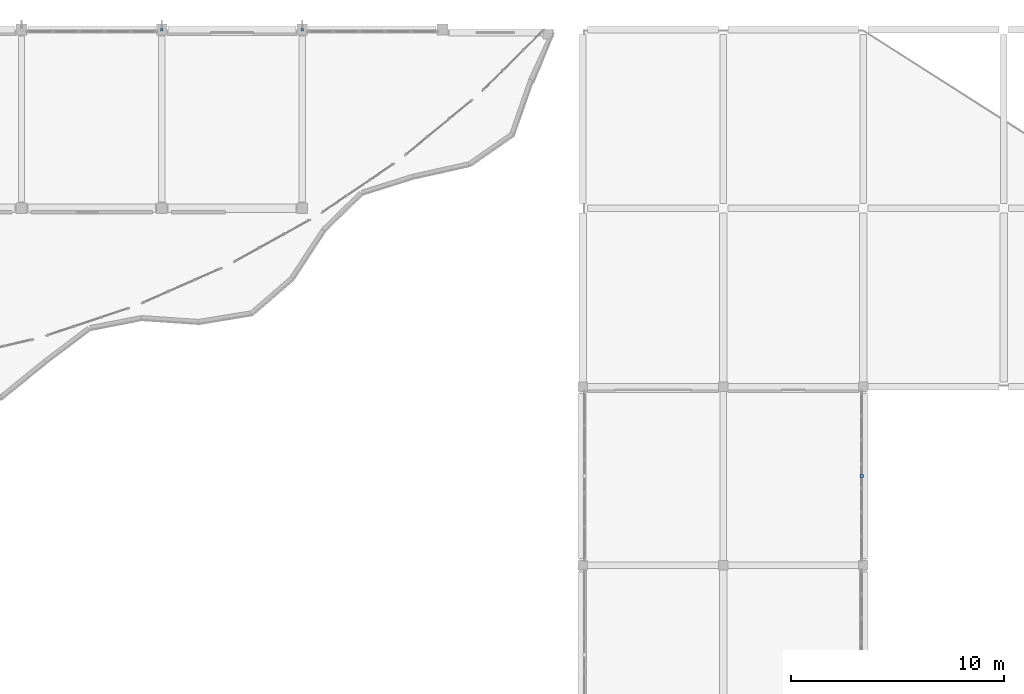
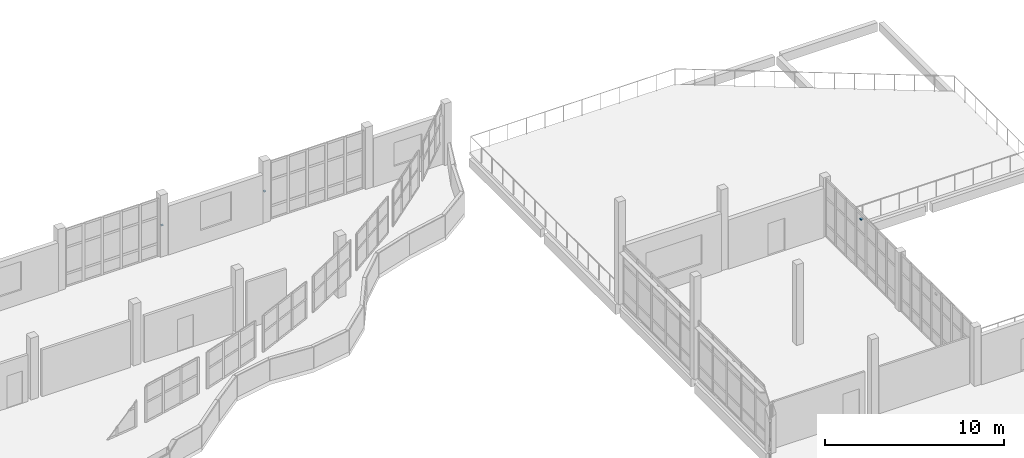
# One storey, part 71 of 78: 3 discrete accessories.
"""IFC4 building model written with IfcOpenShell, lengths in metres."""

from ifc_helpers import new_model, si_unit, direction, frame, origin, origin_2d, place, context, subcontext, project, spatial, rectangle, extrude, material, layer, layer_set, type_object, element, save


model = new_model("IFC4")

# Units and contexts
model_context = context("Model", 3, precision=1e-05, world=origin(), true_north=direction((0.0, 1.0)))
body_context = subcontext(model_context, "Body", "Model", "MODEL_VIEW")
ifc_project = project(units=[si_unit("LENGTHUNIT", "METRE"), si_unit("AREAUNIT", "SQUARE_METRE"), si_unit("VOLUMEUNIT", "CUBIC_METRE"), si_unit("PLANEANGLEUNIT", "RADIAN"), si_unit("MASSUNIT", "GRAM", prefix="KILO")], contexts=[model_context])

# Site, building, storey
site_placement = place(None, origin())
site = spatial("IfcSite", under=ifc_project, at=site_placement, CompositionType="ELEMENT")
building_placement = place(site_placement, origin())
building = spatial("IfcBuilding", under=site, at=building_placement, Name="Qaldarim Faculty of Natural and Applied Sciences", CompositionType="ELEMENT")
storey_placement = place(building_placement, frame((0.0, 0.0, 18.60009765625)))
storey = spatial("IfcBuildingStorey", under=building, at=storey_placement, Name="L04", CompositionType="ELEMENT", Elevation=18.60009765625)

# Discrete accessories
ifc_material = material(Name="Architectural stainless steel 316", Category="steel")
ifc_layer = layer(ifc_material, 0.080078125)
ifc_layer_set = layer_set([ifc_layer], Name="Architectural stainless steel 316")
discrete_accessory_type = type_object("IfcDiscreteAccessoryType", Name="FacadeBracket-SS120", PredefinedType="BRACKET", material=ifc_layer_set)
discrete_accessory_placement = place(storey_placement, frame((164.919921875, 96.60009765625, 3.5498046875), z_axis=(0.0, 0.0, 1.0), x_axis=(0.0, 1.0, 0.0)))
element("IfcDiscreteAccessory", 1, at=discrete_accessory_placement, inside=storey, type_object=discrete_accessory_type, Name="Solar louvre support bracket SHD-L04-E-X25Y12", PredefinedType="BRACKET", context=body_context, shape_type="SweptSolid", body=[
    extrude(rectangle(XDim=0.159912109375, YDim=0.159912109375, at=origin_2d()), origin(), (0.0, 0.0, 1.0), 0.080078125),
])
for number, where, z_axis, x_axis, name in (
    (2, (132.0, 117.60009765625, 1.929931640625), (0.0, 0.0, 1.0), (1.0, 0.0, 0.0), "North fin bracket FIN-V4N-L04-X21"),
    (3, (138.60009765625, 117.60009765625, 1.929931640625), (0.0, 0.0, 1.0), (1.0, 0.0, 0.0), "North fin bracket FIN-V4N-L04-X22"),
):
    element("IfcDiscreteAccessory", number, at=place(storey_placement, frame(where, z_axis=z_axis, x_axis=x_axis)), inside=storey, type_object=discrete_accessory_type, Name=name, PredefinedType="BRACKET", context=body_context, shape_type="SweptSolid", body=[
        extrude(rectangle(XDim=0.1201171875, YDim=0.1201171875, at=origin_2d()), origin(), (0.0, 0.0, 1.0), 0.080078125),
    ])

save(model, "model.ifc")
